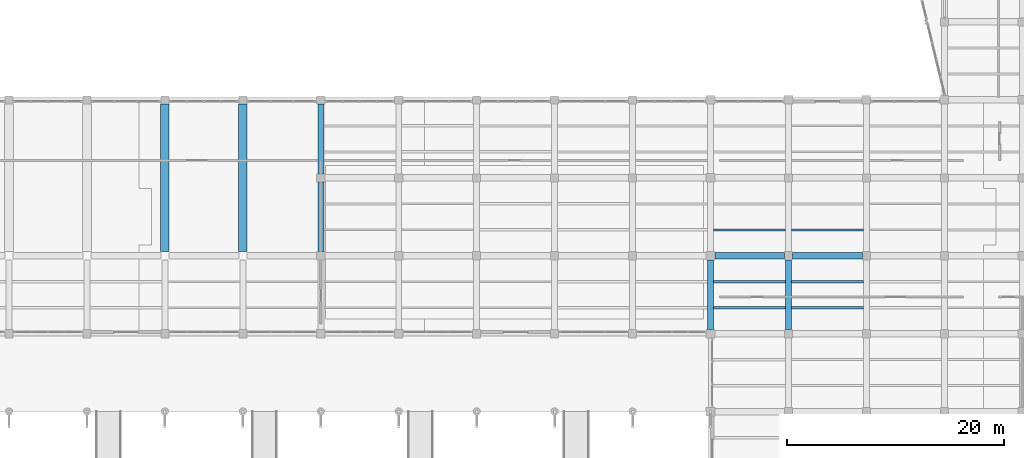
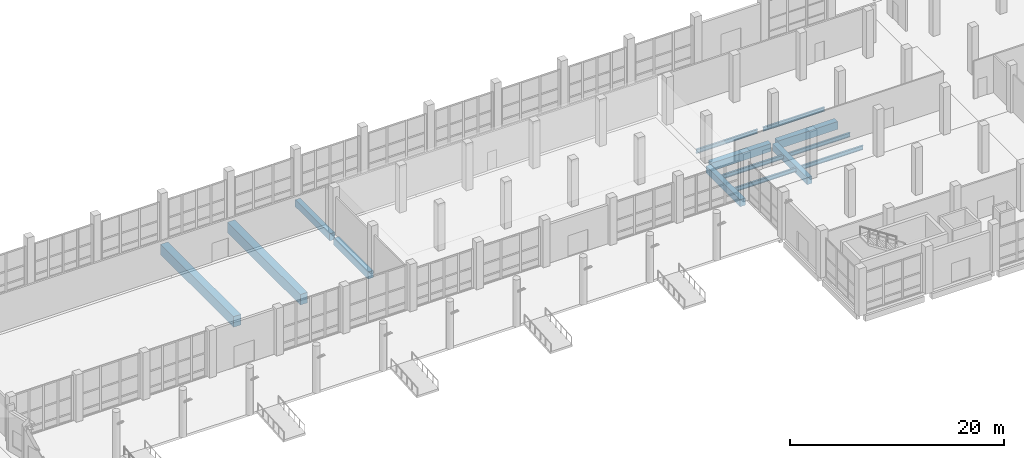
# One storey, part 35 of 137: 14 beams.
"""IFC4 building model written with IfcOpenShell, lengths in metres."""

from ifc_helpers import new_model, si_unit, direction, frame, origin, origin_2d, place, context, subcontext, project, spatial, rectangle, i_section, extrude, material, material_profile, profile_set, type_object, element, save


model = new_model("IFC4")

# Units and contexts
model_context = context("Model", 3, precision=1e-05, world=origin(), true_north=direction((0.0, 1.0)))
body_context = subcontext(model_context, "Body", "Model", "MODEL_VIEW")
ifc_project = project(units=[si_unit("LENGTHUNIT", "METRE"), si_unit("AREAUNIT", "SQUARE_METRE"), si_unit("VOLUMEUNIT", "CUBIC_METRE"), si_unit("PLANEANGLEUNIT", "RADIAN"), si_unit("MASSUNIT", "GRAM", prefix="KILO")], contexts=[model_context])

# Site, building, storey
site_placement = place(None, origin())
site = spatial("IfcSite", under=ifc_project, at=site_placement, CompositionType="ELEMENT")
building_placement = place(site_placement, origin())
building = spatial("IfcBuilding", under=site, at=building_placement, Name="Kalmorath City Hall", CompositionType="ELEMENT")
storey_placement = place(building_placement, origin())
storey = spatial("IfcBuildingStorey", under=building, at=storey_placement, Name="L00", CompositionType="ELEMENT", Elevation=0.0)

# Beams
ifc_material_1 = material(Name="Concrete C50/60", Category="concrete")
ifc_material_profile_1 = material_profile(ifc_material_1, rectangle(XDim=0.800048828125, YDim=1.199951171875, at=origin_2d()), Name="RC-TG-800X1200")
ifc_profile_set_1 = profile_set([ifc_material_profile_1], Name="Concrete C50/60")
beam_type_1 = type_object("IfcBeamType", Name="Concrete deep girder 800x1200", PredefinedType="BEAM", material=ifc_profile_set_1)
for number, where, z_axis, x_axis, name in (
    (1, (64.800048828125, 29.175048828125, -0.904052734375), (0.0, 1.0, 0.0), (-1.0, 0.0, 0.0), "L00 girder TG2 Y10/5-7"),
    (2, (72.0, 29.175048828125, -0.904052734375), (0.0, 1.0, 0.0), (-1.0, 0.0, 0.0), "L00 girder TG2 Y11/5-7"),
):
    element("IfcBeam", number, at=place(storey_placement, frame(where, z_axis=z_axis, x_axis=x_axis)), inside=storey, type_object=beam_type_1, Name=name, PredefinedType="BEAM", context=body_context, shape_type="SweptSolid", body=[
        extrude(rectangle(XDim=0.800048828125, YDim=1.199951171875, at=origin_2d()), origin(), (0.0, 0.0, 1.0), 13.64990234375),
    ])
ifc_material_2 = material(Name="Concrete C40/50", Category="concrete")
ifc_material_profile_2 = material_profile(ifc_material_2, rectangle(XDim=0.550048828125, YDim=0.800048828125, at=origin_2d()), Name="RC-BM-550X800")
ifc_profile_set_2 = profile_set([ifc_material_profile_2], Name="Concrete C40/50")
beam_type_2 = type_object("IfcBeamType", Name="Concrete floor girder 550x800", PredefinedType="BEAM", material=ifc_profile_set_2)
for number, where, z_axis, x_axis, name in (
    (3, (79.199951171875, 29.175048828125, -0.7041015625), (0.0, 1.0, 0.0), (-1.0, 0.0, 0.0), "L00 girder CB2 Y12/5-6"),
    (4, (79.199951171875, 36.375, -0.7041015625), (0.0, 1.0, 0.0), (-1.0, 0.0, 0.0), "L00 girder CB2 Y12/6-7"),
):
    element("IfcBeam", number, at=place(storey_placement, frame(where, z_axis=z_axis, x_axis=x_axis)), inside=storey, type_object=beam_type_2, Name=name, PredefinedType="BEAM", context=body_context, shape_type="SweptSolid", body=[
        extrude(rectangle(XDim=0.550048828125, YDim=0.800048828125, at=origin_2d()), origin(), (0.0, 0.0, 1.0), 6.449951171875),
    ])
beam_1_placement = place(storey_placement, frame((115.199951171875, 22.0, -0.7041015625), z_axis=(0.0, 1.0, 0.0), x_axis=(-1.0, 0.0, 0.0)))
element("IfcBeam", 5, at=beam_1_placement, inside=storey, type_object=beam_type_2, Name="L00 girder CB2 Y17/4-5", PredefinedType="BEAM", context=body_context, shape_type="SweptSolid", body=[
    extrude(rectangle(XDim=0.550048828125, YDim=0.800048828125, at=origin_2d()), origin(), (0.0, 0.0, 1.0), 6.39990234375),
])
beam_2_placement = place(storey_placement, frame((122.39990234375, 21.97509765625, -0.7041015625), z_axis=(0.0, 1.0, 0.0), x_axis=(-1.0, 0.0, 0.0)))
element("IfcBeam", 6, at=beam_2_placement, inside=storey, type_object=beam_type_2, Name="L00 girder CB2 Y18/4-5", PredefinedType="BEAM", context=body_context, shape_type="SweptSolid", body=[
    extrude(rectangle(XDim=0.550048828125, YDim=0.800048828125, at=origin_2d()), origin(), (0.0, 0.0, 1.0), 6.449951171875),
])
ifc_material_3 = material(Name="Concrete C40/50", Category="concrete")
ifc_material_profile_3 = material_profile(ifc_material_3, rectangle(XDim=0.60009765625, YDim=0.89990234375, at=origin_2d()), Name="RC-BM-600X900")
ifc_profile_set_3 = profile_set([ifc_material_profile_3], Name="Concrete C40/50")
beam_type_3 = type_object("IfcBeamType", Name="Concrete floor girder 600x900", PredefinedType="BEAM", material=ifc_profile_set_3)
beam_3_placement = place(storey_placement, frame((115.60009765625, 28.800048828125, -0.75390625), z_axis=(1.0, 0.0, 0.0), x_axis=(0.0, 1.0, 0.0)))
element("IfcBeam", 7, at=beam_3_placement, inside=storey, type_object=beam_type_3, Name="L00 girder CB1 X17-18/5", PredefinedType="BEAM", context=body_context, shape_type="SweptSolid", body=[
    extrude(rectangle(XDim=0.60009765625, YDim=0.89990234375, at=origin_2d()), origin(), (0.0, 0.0, 1.0), 6.4248046875),
])
beam_4_placement = place(storey_placement, frame((122.77490234375, 28.800048828125, -0.75390625), z_axis=(1.0, 0.0, 0.0), x_axis=(0.0, 1.0, 0.0)))
element("IfcBeam", 8, at=beam_4_placement, inside=storey, type_object=beam_type_3, Name="L00 girder CB1 X18-19/5", PredefinedType="BEAM", context=body_context, shape_type="SweptSolid", body=[
    extrude(rectangle(XDim=0.60009765625, YDim=0.89990234375, at=origin_2d()), origin(), (0.0, 0.0, 1.0), 6.4501953125),
])
ifc_material_4 = material(Name="Steel ASTM A992 Grade 50", Category="steel")
ifc_material_profile_4 = material_profile(ifc_material_4, i_section(OverallWidth=0.19091796875, OverallDepth=0.45703125, WebThickness=0.009033203125, FlangeThickness=0.014404296875, FilletRadius=0.013916015625, at=origin_2d()), Name="W18X50")
ifc_profile_set_4 = profile_set([ifc_material_profile_4], Name="Steel ASTM A992 Grade 50")
beam_type_4 = type_object("IfcBeamType", Name="Steel composite joist W18X50", PredefinedType="JOIST", material=ifc_profile_set_4)
beam_5_placement = place(storey_placement, frame((122.675048828125, 31.199951171875, -0.532470703125), z_axis=(1.0, 0.0, 0.0), x_axis=(0.0, 1.0, 0.0)))
element("IfcBeam", 9, at=beam_5_placement, inside=storey, type_object=beam_type_4, Name="L00 joist SJ3 18.5.1", PredefinedType="JOIST", context=body_context, shape_type="SweptSolid", body=[
    extrude(i_section(OverallWidth=0.19091796875, OverallDepth=0.45703125, WebThickness=0.009033203125, FlangeThickness=0.014404296875, FilletRadius=0.013916015625, at=origin_2d()), origin(), (0.0, 0.0, 1.0), 6.64990234375),
])
ifc_material_5 = material(Name="Steel ASTM A992 Grade 50", Category="steel")
ifc_material_profile_5 = material_profile(ifc_material_5, i_section(OverallWidth=0.19091796875, OverallDepth=0.4599609375, WebThickness=0.010009765625, FlangeThickness=0.01611328125, FilletRadius=0.013916015625, at=origin_2d()), Name="W18X55")
ifc_profile_set_5 = profile_set([ifc_material_profile_5], Name="Steel ASTM A992 Grade 50")
beam_type_5 = type_object("IfcBeamType", Name="Steel composite joist W18X55", PredefinedType="JOIST", material=ifc_profile_set_5)
for number, where, z_axis, x_axis, name in (
    (10, (115.47509765625, 31.199951171875, -0.533935546875), (1.0, 0.0, 0.0), (0.0, 1.0, 0.0), "L00 joist SJ2 17.5.1"),
    (11, (122.675048828125, 24.0, -0.533935546875), (1.0, 0.0, 0.0), (0.0, 1.0, 0.0), "L00 joist SJ2 18.4.1"),
    (12, (122.675048828125, 26.39990234375, -0.533935546875), (1.0, 0.0, 0.0), (0.0, 1.0, 0.0), "L00 joist SJ2 18.4.2"),
):
    element("IfcBeam", number, at=place(storey_placement, frame(where, z_axis=z_axis, x_axis=x_axis)), inside=storey, type_object=beam_type_5, Name=name, PredefinedType="JOIST", context=body_context, shape_type="SweptSolid", body=[
        extrude(i_section(OverallWidth=0.19091796875, OverallDepth=0.4599609375, WebThickness=0.010009765625, FlangeThickness=0.01611328125, FilletRadius=0.013916015625, at=origin_2d()), origin(), (0.0, 0.0, 1.0), 6.64990234375),
    ])
ifc_material_6 = material(Name="Steel ASTM A992 Grade 50", Category="steel")
ifc_material_profile_6 = material_profile(ifc_material_6, i_section(OverallWidth=0.193115234375, OverallDepth=0.466064453125, WebThickness=0.011474609375, FlangeThickness=0.01904296875, FilletRadius=0.013916015625, at=origin_2d()), Name="W18X65")
ifc_profile_set_6 = profile_set([ifc_material_profile_6], Name="Steel ASTM A992 Grade 50")
beam_type_6 = type_object("IfcBeamType", Name="Steel composite joist W18X65", PredefinedType="JOIST", material=ifc_profile_set_6)
for number, where, z_axis, x_axis, name in (
    (13, (115.47509765625, 24.0, -0.537109375), (1.0, 0.0, 0.0), (0.0, 1.0, 0.0), "L00 joist SJ1 17.4.1"),
    (14, (115.47509765625, 26.39990234375, -0.537109375), (1.0, 0.0, 0.0), (0.0, 1.0, 0.0), "L00 joist SJ1 17.4.2"),
):
    element("IfcBeam", number, at=place(storey_placement, frame(where, z_axis=z_axis, x_axis=x_axis)), inside=storey, type_object=beam_type_6, Name=name, PredefinedType="JOIST", context=body_context, shape_type="SweptSolid", body=[
        extrude(i_section(OverallWidth=0.193115234375, OverallDepth=0.466064453125, WebThickness=0.011474609375, FlangeThickness=0.01904296875, FilletRadius=0.013916015625, at=origin_2d()), origin(), (0.0, 0.0, 1.0), 6.64990234375),
    ])

save(model, "model.ifc")
